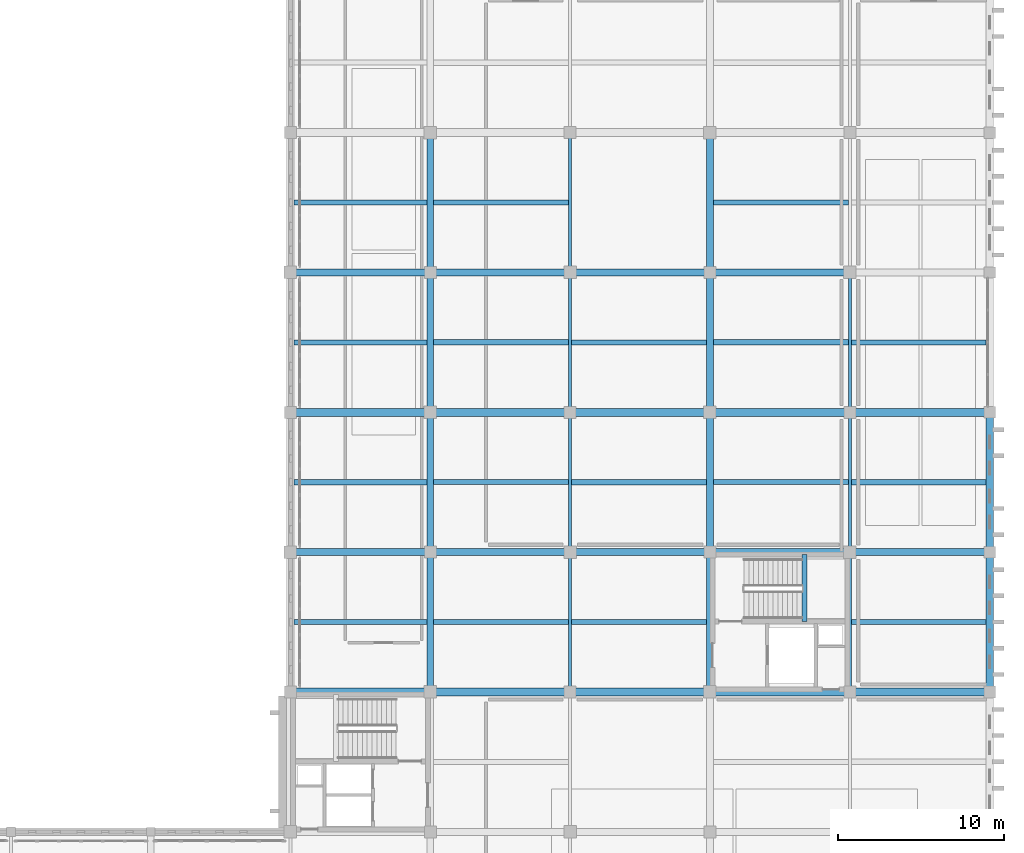
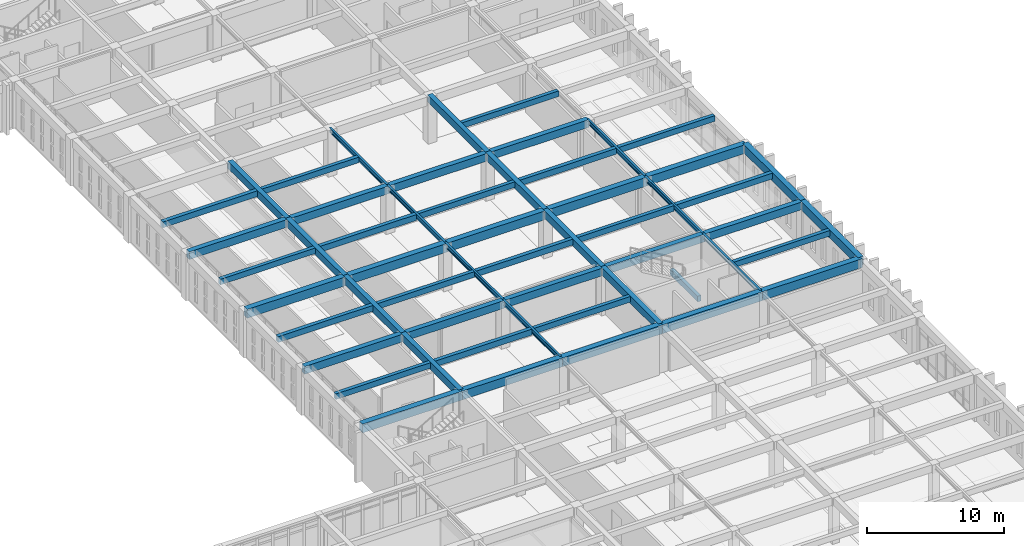
# One storey, part 104 of 192: 54 beams.
"""IFC4 building model written with IfcOpenShell, lengths in metres."""

from ifc_helpers import new_model, si_unit, direction, frame, origin, origin_2d, place, context, subcontext, project, spatial, rectangle, i_section, extrude, material, material_profile, profile_set, type_object, element, save


model = new_model("IFC4")

# Units and contexts
model_context = context("Model", 3, precision=1e-05, world=origin(), true_north=direction((0.0, 1.0)))
body_context = subcontext(model_context, "Body", "Model", "MODEL_VIEW")
ifc_project = project(units=[si_unit("LENGTHUNIT", "METRE"), si_unit("AREAUNIT", "SQUARE_METRE"), si_unit("VOLUMEUNIT", "CUBIC_METRE"), si_unit("PLANEANGLEUNIT", "RADIAN"), si_unit("MASSUNIT", "GRAM", prefix="KILO")], contexts=[model_context])

# Site, building, storey
site_placement = place(None, origin())
site = spatial("IfcSite", under=ifc_project, at=site_placement, CompositionType="ELEMENT")
building_placement = place(site_placement, origin())
building = spatial("IfcBuilding", under=site, at=building_placement, Name="Kveldsbrygga Polytechnic", CompositionType="ELEMENT")
storey_placement = place(building_placement, frame((0.0, 0.0, 5.43994140625)))
storey = spatial("IfcBuildingStorey", under=building, at=storey_placement, Name="L01", CompositionType="ELEMENT", Elevation=5.43994140625)

# Beams
ifc_material_1 = material(Name="Concrete C35/45", Category="concrete")
ifc_material_profile_1 = material_profile(ifc_material_1, rectangle(XDim=0.39990234375, YDim=0.64990234375, at=origin_2d()), Name="RC 400x650")
ifc_profile_set_1 = profile_set([ifc_material_profile_1], Name="Concrete C35/45")
beam_type_1 = type_object("IfcBeamType", Name="BM-RC-400x650", PredefinedType="BEAM", material=ifc_profile_set_1)
for number, where, z_axis, x_axis, name in (
    (1, (134.39990234375, 33.60009765625, 3.795166015625), (0.0, 1.0, 0.0), (-1.0, 0.0, 0.0), "Primary Beam BMY-L01-16-04to05"),
    (2, (134.39990234375, 42.0, 3.795166015625), (0.0, 1.0, 0.0), (-1.0, 0.0, 0.0), "Primary Beam BMY-L01-16-05to06"),
):
    element("IfcBeam", number, at=place(storey_placement, frame(where, z_axis=z_axis, x_axis=x_axis)), inside=storey, type_object=beam_type_1, Name=name, PredefinedType="BEAM", context=body_context, shape_type="SweptSolid", body=[
        extrude(rectangle(XDim=0.39990234375, YDim=0.64990234375, at=origin_2d()), origin(), (0.0, 0.0, 1.0), 8.39990234375),
    ])
beam_1_placement = place(storey_placement, frame((134.39990234375, 50.39990234375, 3.795166015625), z_axis=(0.0, 1.0, 0.0), x_axis=(-1.0, 0.0, 0.0)))
element("IfcBeam", 3, at=beam_1_placement, inside=storey, type_object=beam_type_1, Name="Primary Beam BMY-L01-16-06to07", PredefinedType="BEAM", context=body_context, shape_type="SweptSolid", body=[
    extrude(rectangle(XDim=0.39990234375, YDim=0.64990234375, at=origin_2d()), origin(), (0.0, 0.0, 1.0), 8.400146484375),
])
for number, where, z_axis, x_axis, name in (
    (4, (134.39990234375, 58.800048828125, 3.795166015625), (0.0, 1.0, 0.0), (-1.0, 0.0, 0.0), "Primary Beam BMY-L01-16-07to08"),
    (5, (151.199951171875, 33.60009765625, 3.795166015625), (0.0, 1.0, 0.0), (-1.0, 0.0, 0.0), "Primary Beam BMY-L01-18-04to05"),
    (6, (151.199951171875, 42.0, 3.795166015625), (0.0, 1.0, 0.0), (-1.0, 0.0, 0.0), "Primary Beam BMY-L01-18-05to06"),
):
    element("IfcBeam", number, at=place(storey_placement, frame(where, z_axis=z_axis, x_axis=x_axis)), inside=storey, type_object=beam_type_1, Name=name, PredefinedType="BEAM", context=body_context, shape_type="SweptSolid", body=[
        extrude(rectangle(XDim=0.39990234375, YDim=0.64990234375, at=origin_2d()), origin(), (0.0, 0.0, 1.0), 8.39990234375),
    ])
beam_2_placement = place(storey_placement, frame((151.199951171875, 50.39990234375, 3.795166015625), z_axis=(0.0, 1.0, 0.0), x_axis=(-1.0, 0.0, 0.0)))
element("IfcBeam", 7, at=beam_2_placement, inside=storey, type_object=beam_type_1, Name="Primary Beam BMY-L01-18-06to07", PredefinedType="BEAM", context=body_context, shape_type="SweptSolid", body=[
    extrude(rectangle(XDim=0.39990234375, YDim=0.64990234375, at=origin_2d()), origin(), (0.0, 0.0, 1.0), 8.400146484375),
])
beam_3_placement = place(storey_placement, frame((151.199951171875, 58.800048828125, 3.795166015625), z_axis=(0.0, 1.0, 0.0), x_axis=(-1.0, 0.0, 0.0)))
element("IfcBeam", 8, at=beam_3_placement, inside=storey, type_object=beam_type_1, Name="Primary Beam BMY-L01-18-07to08", PredefinedType="BEAM", context=body_context, shape_type="SweptSolid", body=[
    extrude(rectangle(XDim=0.39990234375, YDim=0.64990234375, at=origin_2d()), origin(), (0.0, 0.0, 1.0), 8.39990234375),
])
ifc_material_profile_2 = material_profile(ifc_material_1, rectangle(XDim=0.419921875, YDim=0.679931640625, at=origin_2d()), Name="RC 420x680")
ifc_profile_set_2 = profile_set([ifc_material_profile_2], Name="Concrete C35/45")
beam_type_2 = type_object("IfcBeamType", Name="BM-RC-420x680", PredefinedType="BEAM", material=ifc_profile_set_2)
beam_4_placement = place(storey_placement, frame((126.0, 42.0, 3.780029296875), z_axis=(1.0, 0.0, 0.0), x_axis=(0.0, 1.0, 0.0)))
element("IfcBeam", 9, at=beam_4_placement, inside=storey, type_object=beam_type_2, Name="Primary Beam BMX-L01-15to16-05", PredefinedType="BEAM", context=body_context, shape_type="SweptSolid", body=[
    extrude(rectangle(XDim=0.419921875, YDim=0.679931640625, at=origin_2d()), origin(), (0.0, 0.0, 1.0), 8.39990234375),
])
beam_5_placement = place(storey_placement, frame((134.39990234375, 42.0, 3.780029296875), z_axis=(1.0, 0.0, 0.0), x_axis=(0.0, 1.0, 0.0)))
element("IfcBeam", 10, at=beam_5_placement, inside=storey, type_object=beam_type_2, Name="Primary Beam BMX-L01-16to17-05", PredefinedType="BEAM", context=body_context, shape_type="SweptSolid", body=[
    extrude(rectangle(XDim=0.419921875, YDim=0.679931640625, at=origin_2d()), origin(), (0.0, 0.0, 1.0), 8.400146484375),
])
beam_6_placement = place(storey_placement, frame((142.800048828125, 42.0, 3.780029296875), z_axis=(1.0, 0.0, 0.0), x_axis=(0.0, 1.0, 0.0)))
element("IfcBeam", 11, at=beam_6_placement, inside=storey, type_object=beam_type_2, Name="Primary Beam BMX-L01-17to18-05", PredefinedType="BEAM", context=body_context, shape_type="SweptSolid", body=[
    extrude(rectangle(XDim=0.419921875, YDim=0.679931640625, at=origin_2d()), origin(), (0.0, 0.0, 1.0), 8.39990234375),
])
beam_7_placement = place(storey_placement, frame((151.199951171875, 42.0, 3.780029296875), z_axis=(1.0, 0.0, 0.0), x_axis=(0.0, 1.0, 0.0)))
element("IfcBeam", 12, at=beam_7_placement, inside=storey, type_object=beam_type_2, Name="Primary Beam BMX-L01-18to19-05", PredefinedType="BEAM", context=body_context, shape_type="SweptSolid", body=[
    extrude(rectangle(XDim=0.419921875, YDim=0.679931640625, at=origin_2d()), origin(), (0.0, 0.0, 1.0), 8.400146484375),
])
for number, where, z_axis, x_axis, name in (
    (13, (159.60009765625, 42.0, 3.780029296875), (1.0, 0.0, 0.0), (0.0, 1.0, 0.0), "Primary Beam BMX-L01-19to20-05"),
    (14, (126.0, 58.800048828125, 3.780029296875), (1.0, 0.0, 0.0), (0.0, 1.0, 0.0), "Primary Beam BMX-L01-15to16-07"),
):
    element("IfcBeam", number, at=place(storey_placement, frame(where, z_axis=z_axis, x_axis=x_axis)), inside=storey, type_object=beam_type_2, Name=name, PredefinedType="BEAM", context=body_context, shape_type="SweptSolid", body=[
        extrude(rectangle(XDim=0.419921875, YDim=0.679931640625, at=origin_2d()), origin(), (0.0, 0.0, 1.0), 8.39990234375),
    ])
beam_8_placement = place(storey_placement, frame((134.39990234375, 58.800048828125, 3.780029296875), z_axis=(1.0, 0.0, 0.0), x_axis=(0.0, 1.0, 0.0)))
element("IfcBeam", 15, at=beam_8_placement, inside=storey, type_object=beam_type_2, Name="Primary Beam BMX-L01-16to17-07", PredefinedType="BEAM", context=body_context, shape_type="SweptSolid", body=[
    extrude(rectangle(XDim=0.419921875, YDim=0.679931640625, at=origin_2d()), origin(), (0.0, 0.0, 1.0), 8.400146484375),
])
beam_9_placement = place(storey_placement, frame((142.800048828125, 58.800048828125, 3.780029296875), z_axis=(1.0, 0.0, 0.0), x_axis=(0.0, 1.0, 0.0)))
element("IfcBeam", 16, at=beam_9_placement, inside=storey, type_object=beam_type_2, Name="Primary Beam BMX-L01-17to18-07", PredefinedType="BEAM", context=body_context, shape_type="SweptSolid", body=[
    extrude(rectangle(XDim=0.419921875, YDim=0.679931640625, at=origin_2d()), origin(), (0.0, 0.0, 1.0), 8.39990234375),
])
beam_10_placement = place(storey_placement, frame((151.199951171875, 58.800048828125, 3.780029296875), z_axis=(1.0, 0.0, 0.0), x_axis=(0.0, 1.0, 0.0)))
element("IfcBeam", 17, at=beam_10_placement, inside=storey, type_object=beam_type_2, Name="Primary Beam BMX-L01-18to19-07", PredefinedType="BEAM", context=body_context, shape_type="SweptSolid", body=[
    extrude(rectangle(XDim=0.419921875, YDim=0.679931640625, at=origin_2d()), origin(), (0.0, 0.0, 1.0), 8.400146484375),
])
ifc_material_profile_3 = material_profile(ifc_material_1, rectangle(XDim=0.449951171875, YDim=0.75, at=origin_2d()), Name="RC 450x750")
ifc_profile_set_3 = profile_set([ifc_material_profile_3], Name="Concrete C35/45")
beam_type_3 = type_object("IfcBeamType", Name="BM-RC-450x750", PredefinedType="BEAM", material=ifc_profile_set_3)
for number, where, z_axis, x_axis, name in (
    (18, (168.0, 33.60009765625, 3.7451171875), (0.0, 1.0, 0.0), (-1.0, 0.0, 0.0), "Primary Beam BMY-L01-20-04to05"),
    (19, (168.0, 42.0, 3.7451171875), (0.0, 1.0, 0.0), (-1.0, 0.0, 0.0), "Primary Beam BMY-L01-20-05to06"),
):
    element("IfcBeam", number, at=place(storey_placement, frame(where, z_axis=z_axis, x_axis=x_axis)), inside=storey, type_object=beam_type_3, Name=name, PredefinedType="BEAM", context=body_context, shape_type="SweptSolid", body=[
        extrude(rectangle(XDim=0.449951171875, YDim=0.75, at=origin_2d()), origin(), (0.0, 0.0, 1.0), 8.39990234375),
    ])
ifc_material_profile_4 = material_profile(ifc_material_1, rectangle(XDim=0.47998046875, YDim=0.780029296875, at=origin_2d()), Name="RC 480x780")
ifc_profile_set_4 = profile_set([ifc_material_profile_4], Name="Concrete C35/45")
beam_type_4 = type_object("IfcBeamType", Name="BM-RC-480x780", PredefinedType="BEAM", material=ifc_profile_set_4)
beam_11_placement = place(storey_placement, frame((126.0, 33.60009765625, 3.72998046875), z_axis=(1.0, 0.0, 0.0), x_axis=(0.0, 1.0, 0.0)))
element("IfcBeam", 20, at=beam_11_placement, inside=storey, type_object=beam_type_4, Name="Primary Beam BMX-L01-15to16-04", PredefinedType="BEAM", context=body_context, shape_type="SweptSolid", body=[
    extrude(rectangle(XDim=0.47998046875, YDim=0.780029296875, at=origin_2d()), origin(), (0.0, 0.0, 1.0), 8.39990234375),
])
beam_12_placement = place(storey_placement, frame((134.39990234375, 33.60009765625, 3.72998046875), z_axis=(1.0, 0.0, 0.0), x_axis=(0.0, 1.0, 0.0)))
element("IfcBeam", 21, at=beam_12_placement, inside=storey, type_object=beam_type_4, Name="Primary Beam BMX-L01-16to17-04", PredefinedType="BEAM", context=body_context, shape_type="SweptSolid", body=[
    extrude(rectangle(XDim=0.47998046875, YDim=0.780029296875, at=origin_2d()), origin(), (0.0, 0.0, 1.0), 8.400146484375),
])
beam_13_placement = place(storey_placement, frame((142.800048828125, 33.60009765625, 3.72998046875), z_axis=(1.0, 0.0, 0.0), x_axis=(0.0, 1.0, 0.0)))
element("IfcBeam", 22, at=beam_13_placement, inside=storey, type_object=beam_type_4, Name="Primary Beam BMX-L01-17to18-04", PredefinedType="BEAM", context=body_context, shape_type="SweptSolid", body=[
    extrude(rectangle(XDim=0.47998046875, YDim=0.780029296875, at=origin_2d()), origin(), (0.0, 0.0, 1.0), 8.39990234375),
])
beam_14_placement = place(storey_placement, frame((151.199951171875, 33.60009765625, 3.72998046875), z_axis=(1.0, 0.0, 0.0), x_axis=(0.0, 1.0, 0.0)))
element("IfcBeam", 23, at=beam_14_placement, inside=storey, type_object=beam_type_4, Name="Primary Beam BMX-L01-18to19-04", PredefinedType="BEAM", context=body_context, shape_type="SweptSolid", body=[
    extrude(rectangle(XDim=0.47998046875, YDim=0.780029296875, at=origin_2d()), origin(), (0.0, 0.0, 1.0), 8.400146484375),
])
for number, where, z_axis, x_axis, name in (
    (24, (159.60009765625, 33.60009765625, 3.72998046875), (1.0, 0.0, 0.0), (0.0, 1.0, 0.0), "Primary Beam BMX-L01-19to20-04"),
    (25, (126.0, 50.39990234375, 3.72998046875), (1.0, 0.0, 0.0), (0.0, 1.0, 0.0), "Primary Beam BMX-L01-15to16-06"),
):
    element("IfcBeam", number, at=place(storey_placement, frame(where, z_axis=z_axis, x_axis=x_axis)), inside=storey, type_object=beam_type_4, Name=name, PredefinedType="BEAM", context=body_context, shape_type="SweptSolid", body=[
        extrude(rectangle(XDim=0.47998046875, YDim=0.780029296875, at=origin_2d()), origin(), (0.0, 0.0, 1.0), 8.39990234375),
    ])
beam_15_placement = place(storey_placement, frame((134.39990234375, 50.39990234375, 3.72998046875), z_axis=(1.0, 0.0, 0.0), x_axis=(0.0, 1.0, 0.0)))
element("IfcBeam", 26, at=beam_15_placement, inside=storey, type_object=beam_type_4, Name="Primary Beam BMX-L01-16to17-06", PredefinedType="BEAM", context=body_context, shape_type="SweptSolid", body=[
    extrude(rectangle(XDim=0.47998046875, YDim=0.780029296875, at=origin_2d()), origin(), (0.0, 0.0, 1.0), 8.400146484375),
])
beam_16_placement = place(storey_placement, frame((142.800048828125, 50.39990234375, 3.72998046875), z_axis=(1.0, 0.0, 0.0), x_axis=(0.0, 1.0, 0.0)))
element("IfcBeam", 27, at=beam_16_placement, inside=storey, type_object=beam_type_4, Name="Primary Beam BMX-L01-17to18-06", PredefinedType="BEAM", context=body_context, shape_type="SweptSolid", body=[
    extrude(rectangle(XDim=0.47998046875, YDim=0.780029296875, at=origin_2d()), origin(), (0.0, 0.0, 1.0), 8.39990234375),
])
beam_17_placement = place(storey_placement, frame((151.199951171875, 50.39990234375, 3.72998046875), z_axis=(1.0, 0.0, 0.0), x_axis=(0.0, 1.0, 0.0)))
element("IfcBeam", 28, at=beam_17_placement, inside=storey, type_object=beam_type_4, Name="Primary Beam BMX-L01-18to19-06", PredefinedType="BEAM", context=body_context, shape_type="SweptSolid", body=[
    extrude(rectangle(XDim=0.47998046875, YDim=0.780029296875, at=origin_2d()), origin(), (0.0, 0.0, 1.0), 8.400146484375),
])
beam_18_placement = place(storey_placement, frame((159.60009765625, 50.39990234375, 3.72998046875), z_axis=(1.0, 0.0, 0.0), x_axis=(0.0, 1.0, 0.0)))
element("IfcBeam", 29, at=beam_18_placement, inside=storey, type_object=beam_type_4, Name="Primary Beam BMX-L01-19to20-06", PredefinedType="BEAM", context=body_context, shape_type="SweptSolid", body=[
    extrude(rectangle(XDim=0.47998046875, YDim=0.780029296875, at=origin_2d()), origin(), (0.0, 0.0, 1.0), 8.39990234375),
])
ifc_material_2 = material(Name="Steel S355", Category="steel")
ifc_material_profile_5 = material_profile(ifc_material_2, i_section(OverallWidth=0.179931640625, OverallDepth=0.39990234375, WebThickness=0.008544921875, FlangeThickness=0.013427734375, FilletRadius=0.02099609375, at=origin_2d()), Name="IPE 400")
ifc_profile_set_5 = profile_set([ifc_material_profile_5], Name="Steel S355")
beam_type_5 = type_object("IfcBeamType", Name="BM-STL-IPE400", PredefinedType="BEAM", material=ifc_profile_set_5)
for number, where, z_axis, x_axis, name in (
    (30, (142.800048828125, 33.60009765625, 3.920166015625), (0.0, 1.0, 0.0), (-1.0, 0.0, 0.0), "Primary Beam BMY-L01-17-04to05"),
    (31, (142.800048828125, 42.0, 3.920166015625), (0.0, 1.0, 0.0), (-1.0, 0.0, 0.0), "Primary Beam BMY-L01-17-05to06"),
):
    element("IfcBeam", number, at=place(storey_placement, frame(where, z_axis=z_axis, x_axis=x_axis)), inside=storey, type_object=beam_type_5, Name=name, PredefinedType="BEAM", context=body_context, shape_type="SweptSolid", body=[
        extrude(i_section(OverallWidth=0.179931640625, OverallDepth=0.39990234375, WebThickness=0.008544921875, FlangeThickness=0.013427734375, FilletRadius=0.02099609375, at=origin_2d()), origin(), (0.0, 0.0, 1.0), 8.39990234375),
    ])
beam_19_placement = place(storey_placement, frame((142.800048828125, 50.39990234375, 3.920166015625), z_axis=(0.0, 1.0, 0.0), x_axis=(-1.0, 0.0, 0.0)))
element("IfcBeam", 32, at=beam_19_placement, inside=storey, type_object=beam_type_5, Name="Primary Beam BMY-L01-17-06to07", PredefinedType="BEAM", context=body_context, shape_type="SweptSolid", body=[
    extrude(i_section(OverallWidth=0.179931640625, OverallDepth=0.39990234375, WebThickness=0.008544921875, FlangeThickness=0.013427734375, FilletRadius=0.02099609375, at=origin_2d()), origin(), (0.0, 0.0, 1.0), 8.400146484375),
])
for number, where, z_axis, x_axis, name in (
    (33, (142.800048828125, 58.800048828125, 3.920166015625), (0.0, 1.0, 0.0), (-1.0, 0.0, 0.0), "Primary Beam BMY-L01-17-07to08"),
    (34, (159.60009765625, 33.60009765625, 3.920166015625), (0.0, 1.0, 0.0), (-1.0, 0.0, 0.0), "Primary Beam BMY-L01-19-04to05"),
    (35, (159.60009765625, 42.0, 3.920166015625), (0.0, 1.0, 0.0), (-1.0, 0.0, 0.0), "Primary Beam BMY-L01-19-05to06"),
):
    element("IfcBeam", number, at=place(storey_placement, frame(where, z_axis=z_axis, x_axis=x_axis)), inside=storey, type_object=beam_type_5, Name=name, PredefinedType="BEAM", context=body_context, shape_type="SweptSolid", body=[
        extrude(i_section(OverallWidth=0.179931640625, OverallDepth=0.39990234375, WebThickness=0.008544921875, FlangeThickness=0.013427734375, FilletRadius=0.02099609375, at=origin_2d()), origin(), (0.0, 0.0, 1.0), 8.39990234375),
    ])
beam_20_placement = place(storey_placement, frame((159.60009765625, 50.39990234375, 3.920166015625), z_axis=(0.0, 1.0, 0.0), x_axis=(-1.0, 0.0, 0.0)))
element("IfcBeam", 36, at=beam_20_placement, inside=storey, type_object=beam_type_5, Name="Primary Beam BMY-L01-19-06to07", PredefinedType="BEAM", context=body_context, shape_type="SweptSolid", body=[
    extrude(i_section(OverallWidth=0.179931640625, OverallDepth=0.39990234375, WebThickness=0.008544921875, FlangeThickness=0.013427734375, FilletRadius=0.02099609375, at=origin_2d()), origin(), (0.0, 0.0, 1.0), 8.400146484375),
])
ifc_material_profile_6 = material_profile(ifc_material_1, rectangle(XDim=0.300048828125, YDim=0.5, at=origin_2d()), Name="RC 300x500")
ifc_profile_set_6 = profile_set([ifc_material_profile_6], Name="Concrete C35/45")
beam_type_6 = type_object("IfcBeamType", Name="JST-RC-300x500", PredefinedType="JOIST", material=ifc_profile_set_6)
for number, where, z_axis, x_axis, name in (
    (37, (126.22509765625, 37.800048828125, 3.8701171875), (1.0, 0.0, 0.0), (0.0, 1.0, 0.0), "Secondary Joist JST-L01-15-04"),
    (38, (126.22509765625, 54.60009765625, 3.8701171875), (1.0, 0.0, 0.0), (0.0, 1.0, 0.0), "Secondary Joist JST-L01-15-06"),
):
    element("IfcBeam", number, at=place(storey_placement, frame(where, z_axis=z_axis, x_axis=x_axis)), inside=storey, type_object=beam_type_6, Name=name, PredefinedType="JOIST", context=body_context, shape_type="SweptSolid", body=[
        extrude(rectangle(XDim=0.300048828125, YDim=0.5, at=origin_2d()), origin(), (0.0, 0.0, 1.0), 7.974853515625),
    ])
for number, where, z_axis, x_axis, name in (
    (39, (134.60009765625, 46.199951171875, 3.8701171875), (1.0, 0.0, 0.0), (0.0, 1.0, 0.0), "Secondary Joist JST-L01-16-05"),
    (40, (134.60009765625, 63.0, 3.8701171875), (1.0, 0.0, 0.0), (0.0, 1.0, 0.0), "Secondary Joist JST-L01-16-07"),
):
    element("IfcBeam", number, at=place(storey_placement, frame(where, z_axis=z_axis, x_axis=x_axis)), inside=storey, type_object=beam_type_6, Name=name, PredefinedType="JOIST", context=body_context, shape_type="SweptSolid", body=[
        extrude(rectangle(XDim=0.300048828125, YDim=0.5, at=origin_2d()), origin(), (0.0, 0.0, 1.0), 8.10986328125),
    ])
for number, where, z_axis, x_axis, name in (
    (41, (142.889892578125, 37.800048828125, 3.8701171875), (1.0, 0.0, 0.0), (0.0, 1.0, 0.0), "Secondary Joist JST-L01-17-04"),
    (42, (142.889892578125, 54.60009765625, 3.8701171875), (1.0, 0.0, 0.0), (0.0, 1.0, 0.0), "Secondary Joist JST-L01-17-06"),
    (43, (151.39990234375, 46.199951171875, 3.8701171875), (1.0, 0.0, 0.0), (0.0, 1.0, 0.0), "Secondary Joist JST-L01-18-05"),
    (44, (151.39990234375, 63.0, 3.8701171875), (1.0, 0.0, 0.0), (0.0, 1.0, 0.0), "Secondary Joist JST-L01-18-07"),
):
    element("IfcBeam", number, at=place(storey_placement, frame(where, z_axis=z_axis, x_axis=x_axis)), inside=storey, type_object=beam_type_6, Name=name, PredefinedType="JOIST", context=body_context, shape_type="SweptSolid", body=[
        extrude(rectangle(XDim=0.300048828125, YDim=0.5, at=origin_2d()), origin(), (0.0, 0.0, 1.0), 8.110107421875),
    ])
for number, where, z_axis, x_axis, name in (
    (45, (159.68994140625, 37.800048828125, 3.8701171875), (1.0, 0.0, 0.0), (0.0, 1.0, 0.0), "Secondary Joist JST-L01-19-04"),
    (46, (159.68994140625, 54.60009765625, 3.8701171875), (1.0, 0.0, 0.0), (0.0, 1.0, 0.0), "Secondary Joist JST-L01-19-06"),
):
    element("IfcBeam", number, at=place(storey_placement, frame(where, z_axis=z_axis, x_axis=x_axis)), inside=storey, type_object=beam_type_6, Name=name, PredefinedType="JOIST", context=body_context, shape_type="SweptSolid", body=[
        extrude(rectangle(XDim=0.300048828125, YDim=0.5, at=origin_2d()), origin(), (0.0, 0.0, 1.0), 8.0849609375),
    ])
ifc_material_profile_7 = material_profile(ifc_material_1, rectangle(XDim=0.320068359375, YDim=0.52001953125, at=origin_2d()), Name="RC 320x520")
ifc_profile_set_7 = profile_set([ifc_material_profile_7], Name="Concrete C35/45")
beam_type_7 = type_object("IfcBeamType", Name="JST-RC-320x520", PredefinedType="JOIST", material=ifc_profile_set_7)
for number, where, z_axis, x_axis, name in (
    (47, (126.22509765625, 46.199951171875, 3.860107421875), (1.0, 0.0, 0.0), (0.0, 1.0, 0.0), "Secondary Joist JST-L01-15-05"),
    (48, (126.22509765625, 63.0, 3.860107421875), (1.0, 0.0, 0.0), (0.0, 1.0, 0.0), "Secondary Joist JST-L01-15-07"),
):
    element("IfcBeam", number, at=place(storey_placement, frame(where, z_axis=z_axis, x_axis=x_axis)), inside=storey, type_object=beam_type_7, Name=name, PredefinedType="JOIST", context=body_context, shape_type="SweptSolid", body=[
        extrude(rectangle(XDim=0.320068359375, YDim=0.52001953125, at=origin_2d()), origin(), (0.0, 0.0, 1.0), 7.974853515625),
    ])
for number, where, z_axis, x_axis, name in (
    (49, (134.60009765625, 37.800048828125, 3.860107421875), (1.0, 0.0, 0.0), (0.0, 1.0, 0.0), "Secondary Joist JST-L01-16-04"),
    (50, (134.60009765625, 54.60009765625, 3.860107421875), (1.0, 0.0, 0.0), (0.0, 1.0, 0.0), "Secondary Joist JST-L01-16-06"),
):
    element("IfcBeam", number, at=place(storey_placement, frame(where, z_axis=z_axis, x_axis=x_axis)), inside=storey, type_object=beam_type_7, Name=name, PredefinedType="JOIST", context=body_context, shape_type="SweptSolid", body=[
        extrude(rectangle(XDim=0.320068359375, YDim=0.52001953125, at=origin_2d()), origin(), (0.0, 0.0, 1.0), 8.10986328125),
    ])
for number, where, z_axis, x_axis, name in (
    (51, (142.889892578125, 46.199951171875, 3.860107421875), (1.0, 0.0, 0.0), (0.0, 1.0, 0.0), "Secondary Joist JST-L01-17-05"),
    (52, (151.39990234375, 54.60009765625, 3.860107421875), (1.0, 0.0, 0.0), (0.0, 1.0, 0.0), "Secondary Joist JST-L01-18-06"),
):
    element("IfcBeam", number, at=place(storey_placement, frame(where, z_axis=z_axis, x_axis=x_axis)), inside=storey, type_object=beam_type_7, Name=name, PredefinedType="JOIST", context=body_context, shape_type="SweptSolid", body=[
        extrude(rectangle(XDim=0.320068359375, YDim=0.52001953125, at=origin_2d()), origin(), (0.0, 0.0, 1.0), 8.110107421875),
    ])
beam_21_placement = place(storey_placement, frame((159.68994140625, 46.199951171875, 3.860107421875), z_axis=(1.0, 0.0, 0.0), x_axis=(0.0, 1.0, 0.0)))
element("IfcBeam", 53, at=beam_21_placement, inside=storey, type_object=beam_type_7, Name="Secondary Joist JST-L01-19-05", PredefinedType="JOIST", context=body_context, shape_type="SweptSolid", body=[
    extrude(rectangle(XDim=0.320068359375, YDim=0.52001953125, at=origin_2d()), origin(), (0.0, 0.0, 1.0), 8.0849609375),
])
ifc_material_profile_8 = material_profile(ifc_material_1, rectangle(XDim=0.300048828125, YDim=0.5, at=origin_2d()), Name="RC 300x500")
ifc_profile_set_8 = profile_set([ifc_material_profile_8], Name="Concrete C35/45")
beam_type_8 = type_object("IfcBeamType", Name="LNT-RC-300x500", PredefinedType="LINTEL", material=ifc_profile_set_8)
beam_22_placement = place(storey_placement, frame((156.8798828125, 37.830078125, 1.760009765625), z_axis=(0.0, 1.0, 0.0), x_axis=(-1.0, 0.0, 0.0)))
element("IfcBeam", 54, at=beam_22_placement, inside=storey, type_object=beam_type_8, Name="Stair Landing Support Beam C3-L01-LNDB-1-1", PredefinedType="LINTEL", context=body_context, shape_type="SweptSolid", body=[
    extrude(rectangle(XDim=0.300048828125, YDim=0.5, at=origin_2d()), origin(), (0.0, 0.0, 1.0), 4.02001953125),
])

save(model, "model.ifc")
